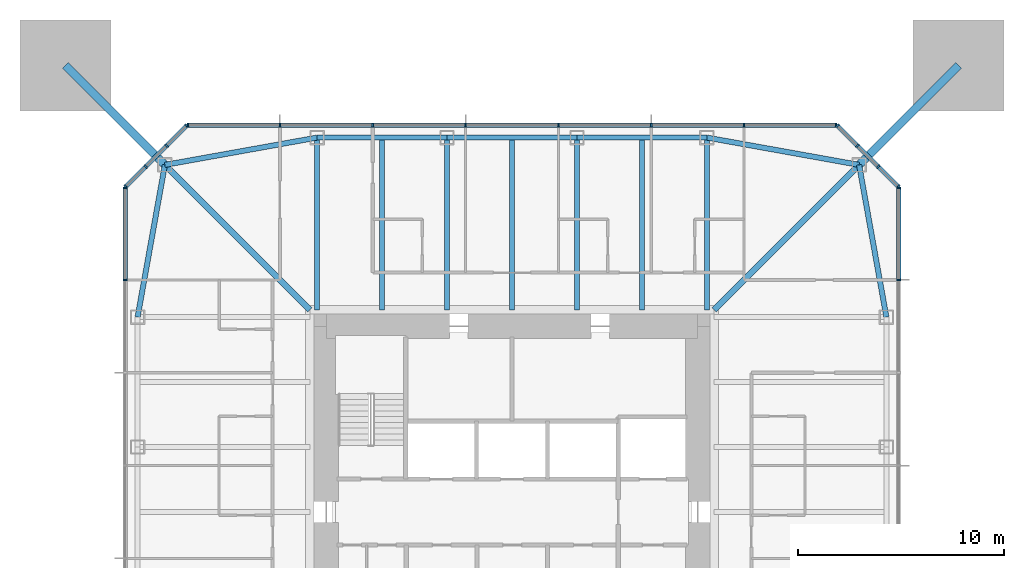
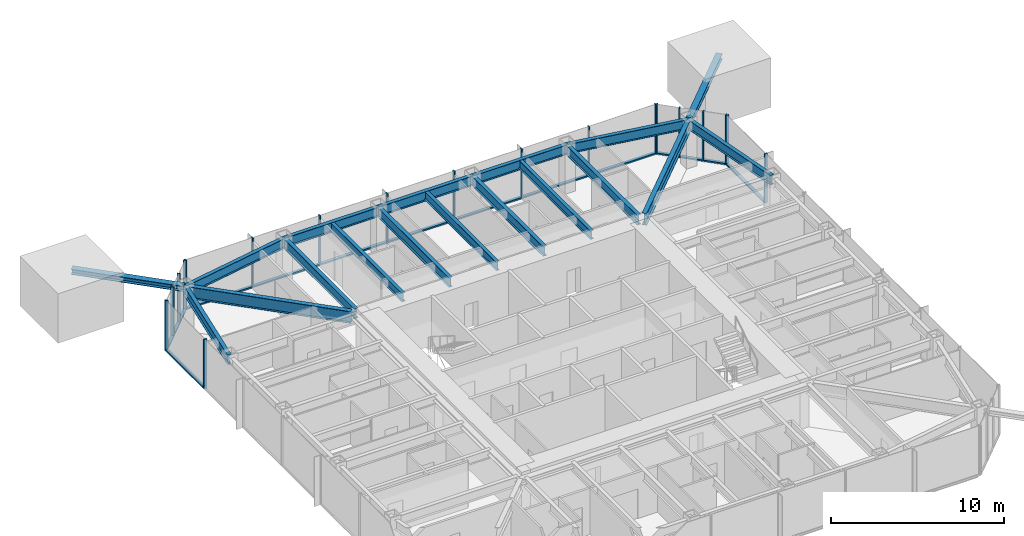
# One storey, part 4 of 12: 37 members, 16 beams, 5 elements without a shape of their own.
"""IFC4 building model written with IfcOpenShell, lengths in metres."""

from ifc_helpers import new_model, si_unit, direction, frame, origin, origin_2d, place, context, subcontext, project, spatial, rectangle, i_section, extrude, material, material_profile, profile_set, type_object, element, aggregate, save


model = new_model("IFC4")

# Units and contexts
model_context = context("Model", 3, precision=1e-05, world=origin(), true_north=direction((0.0, 1.0)))
body_context = subcontext(model_context, "Body", "Model", "MODEL_VIEW")
ifc_project = project(units=[si_unit("LENGTHUNIT", "METRE"), si_unit("AREAUNIT", "SQUARE_METRE"), si_unit("VOLUMEUNIT", "CUBIC_METRE"), si_unit("PLANEANGLEUNIT", "RADIAN"), si_unit("MASSUNIT", "GRAM", prefix="KILO")], contexts=[model_context])

# Site, building, storey
site_placement = place(None, origin())
site = spatial("IfcSite", under=ifc_project, at=site_placement, CompositionType="ELEMENT")
building_placement = place(site_placement, origin())
building = spatial("IfcBuilding", under=site, at=building_placement, Name="Iwan Alto Co-Living Towers", CompositionType="ELEMENT")
storey_placement = place(building_placement, frame((0.0, 0.0, 153.0)))
storey = spatial("IfcBuildingStorey", under=building, at=storey_placement, Name="L41", CompositionType="ELEMENT", Elevation=153.0)

# Curtain wall, members
ifc_material_1 = material(Name="Bronze aluminium unitised frame", Category="aluminium")
curtain_wall_type_1 = type_object("IfcCurtainWallType", Name="CURTAIN WALL CW-A", PredefinedType="NOTDEFINED", material=ifc_material_1)
curtain_wall_1_placement = place(storey_placement, origin())
curtain_wall_1 = element("IfcCurtainWall", 1, at=curtain_wall_1_placement, inside=storey, type_object=curtain_wall_type_1, Name="T1 curtain wall E L41", PredefinedType="NOTDEFINED")
ifc_material_2 = material(Name="Aluminium 6063-T6 bronze anodised", Category="aluminium")
ifc_material_profile_1 = material_profile(ifc_material_2, rectangle(XDim=0.199951171875, YDim=0.080078125, at=origin_2d()), Name="AL 80X200")
ifc_profile_set_1 = profile_set([ifc_material_profile_1], Name="Aluminium 6063-T6 bronze anodised")
member_type_1 = type_object("IfcMemberType", Name="CW-A MULLION 80X200", PredefinedType="MULLION", material=ifc_profile_set_1)
member_1_placement = place(storey_placement, frame((18.75, 11.25, 0.0), z_axis=(0.0, 0.0, 1.0), x_axis=(-1.0, 0.0, 0.0)))
member_1 = element("IfcMember", 2, at=member_1_placement, type_object=member_type_1, Name="CW-A mullion 7", PredefinedType="MULLION", context=body_context, shape_type="SweptSolid", body=[
    extrude(rectangle(XDim=0.199951171875, YDim=0.080078125, at=origin_2d()), origin(), (0.0, 0.0, 1.0), 3.5),
])
member_2_placement = place(storey_placement, frame((18.75, 15.7099609375, 0.0), z_axis=(0.0, 0.0, 1.0), x_axis=(-1.0, 0.0, 0.0)))
member_2 = element("IfcMember", 3, at=member_2_placement, type_object=member_type_1, Name="CW-A mullion 8", PredefinedType="MULLION", context=body_context, shape_type="SweptSolid", body=[
    extrude(rectangle(XDim=0.199951171875, YDim=0.080078125, at=origin_2d()), origin(), (0.0, 0.0, 1.0), 3.5),
])

curtain_wall_2_placement = place(storey_placement, origin())
curtain_wall_2 = element("IfcCurtainWall", 4, at=curtain_wall_2_placement, inside=storey, type_object=curtain_wall_type_1, Name="T1 curtain wall N L41", PredefinedType="NOTDEFINED")
member_3_placement = place(storey_placement, frame((15.7099609375, 18.75, 0.0), z_axis=(0.0, 0.0, 1.0), x_axis=(0.0, -1.0, 0.0)))
member_3 = element("IfcMember", 5, at=member_3_placement, type_object=member_type_1, Name="CW-A mullion 1", PredefinedType="MULLION", context=body_context, shape_type="SweptSolid", body=[
    extrude(rectangle(XDim=0.199951171875, YDim=0.080078125, at=origin_2d()), origin(), (0.0, 0.0, 1.0), 3.5),
])
member_4_placement = place(storey_placement, frame((11.25, 18.75, 0.0), z_axis=(0.0, 0.0, 1.0), x_axis=(0.0, -1.0, 0.0)))
member_4 = element("IfcMember", 6, at=member_4_placement, type_object=member_type_1, Name="CW-A mullion 2", PredefinedType="MULLION", context=body_context, shape_type="SweptSolid", body=[
    extrude(rectangle(XDim=0.199951171875, YDim=0.080078125, at=origin_2d()), origin(), (0.0, 0.0, 1.0), 3.5),
])
member_5_placement = place(storey_placement, frame((6.75, 18.75, 0.0), z_axis=(0.0, 0.0, 1.0), x_axis=(0.0, -1.0, 0.0)))
member_5 = element("IfcMember", 7, at=member_5_placement, type_object=member_type_1, Name="CW-A mullion 3", PredefinedType="MULLION", context=body_context, shape_type="SweptSolid", body=[
    extrude(rectangle(XDim=0.199951171875, YDim=0.080078125, at=origin_2d()), origin(), (0.0, 0.0, 1.0), 3.5),
])
member_6_placement = place(storey_placement, frame((2.25, 18.75, 0.0), z_axis=(0.0, 0.0, 1.0), x_axis=(0.0, -1.0, 0.0)))
member_6 = element("IfcMember", 8, at=member_6_placement, type_object=member_type_1, Name="CW-A mullion 4", PredefinedType="MULLION", context=body_context, shape_type="SweptSolid", body=[
    extrude(rectangle(XDim=0.199951171875, YDim=0.080078125, at=origin_2d()), origin(), (0.0, 0.0, 1.0), 3.5),
])
member_7_placement = place(storey_placement, frame((-2.25, 18.75, 0.0), z_axis=(0.0, 0.0, 1.0), x_axis=(0.0, -1.0, 0.0)))
member_7 = element("IfcMember", 9, at=member_7_placement, type_object=member_type_1, Name="CW-A mullion 5", PredefinedType="MULLION", context=body_context, shape_type="SweptSolid", body=[
    extrude(rectangle(XDim=0.199951171875, YDim=0.080078125, at=origin_2d()), origin(), (0.0, 0.0, 1.0), 3.5),
])
member_8_placement = place(storey_placement, frame((-6.75, 18.75, 0.0), z_axis=(0.0, 0.0, 1.0), x_axis=(0.0, -1.0, 0.0)))
member_8 = element("IfcMember", 10, at=member_8_placement, type_object=member_type_1, Name="CW-A mullion 6", PredefinedType="MULLION", context=body_context, shape_type="SweptSolid", body=[
    extrude(rectangle(XDim=0.199951171875, YDim=0.080078125, at=origin_2d()), origin(), (0.0, 0.0, 1.0), 3.5),
])
member_9_placement = place(storey_placement, frame((-11.25, 18.75, 0.0), z_axis=(0.0, 0.0, 1.0), x_axis=(0.0, -1.0, 0.0)))
member_9 = element("IfcMember", 11, at=member_9_placement, type_object=member_type_1, Name="CW-A mullion 7", PredefinedType="MULLION", context=body_context, shape_type="SweptSolid", body=[
    extrude(rectangle(XDim=0.199951171875, YDim=0.080078125, at=origin_2d()), origin(), (0.0, 0.0, 1.0), 3.5),
])
member_10_placement = place(storey_placement, frame((-15.7099609375, 18.75, 0.0), z_axis=(0.0, 0.0, 1.0), x_axis=(0.0, -1.0, 0.0)))
member_10 = element("IfcMember", 12, at=member_10_placement, type_object=member_type_1, Name="CW-A mullion 8", PredefinedType="MULLION", context=body_context, shape_type="SweptSolid", body=[
    extrude(rectangle(XDim=0.199951171875, YDim=0.080078125, at=origin_2d()), origin(), (0.0, 0.0, 1.0), 3.5),
])

curtain_wall_3_placement = place(storey_placement, origin())
curtain_wall_3 = element("IfcCurtainWall", 13, at=curtain_wall_3_placement, inside=storey, type_object=curtain_wall_type_1, Name="T1 curtain wall W L41", PredefinedType="NOTDEFINED")
member_11_placement = place(storey_placement, frame((-18.75, 15.7099609375, 0.0), z_axis=(0.0, 0.0, 1.0), x_axis=(1.0, 0.0, 0.0)))
member_11 = element("IfcMember", 14, at=member_11_placement, type_object=member_type_1, Name="CW-A mullion 1", PredefinedType="MULLION", context=body_context, shape_type="SweptSolid", body=[
    extrude(rectangle(XDim=0.199951171875, YDim=0.080078125, at=origin_2d()), origin(), (0.0, 0.0, 1.0), 3.5),
])
member_12_placement = place(storey_placement, frame((-18.75, 11.25, 0.0), z_axis=(0.0, 0.0, 1.0), x_axis=(1.0, 0.0, 0.0)))
member_12 = element("IfcMember", 15, at=member_12_placement, type_object=member_type_1, Name="CW-A mullion 2", PredefinedType="MULLION", context=body_context, shape_type="SweptSolid", body=[
    extrude(rectangle(XDim=0.199951171875, YDim=0.080078125, at=origin_2d()), origin(), (0.0, 0.0, 1.0), 3.5),
])

# Member
ifc_material_3 = material(Name="Aluminium 6063-T6 bronze anodised", Category="aluminium")
ifc_material_profile_2 = material_profile(ifc_material_3, rectangle(XDim=0.199951171875, YDim=0.10009765625, at=origin_2d()), Name="AL 200X100")
ifc_profile_set_2 = profile_set([ifc_material_profile_2], Name="Aluminium 6063-T6 bronze anodised")
member_type_2 = type_object("IfcMemberType", Name="CW-A TRANSOM 200X100", PredefinedType="USERDEFINED", material=ifc_profile_set_2)
member_13_placement = place(storey_placement, frame((18.75, 11.2900390625, 0.050048828125), z_axis=(0.0, 1.0, 0.0), x_axis=(-1.0, 0.0, 0.0)))
member_13 = element("IfcMember", 16, at=member_13_placement, type_object=member_type_2, Name="CW-A transom 7.1", ObjectType="TRANSOM", PredefinedType="USERDEFINED", context=body_context, shape_type="SweptSolid", body=[
    extrude(rectangle(XDim=0.199951171875, YDim=0.10009765625, at=origin_2d()), origin(), (0.0, 0.0, 1.0), 4.3798828125),
])

aggregate(curtain_wall_1, [member_1, member_2, member_13])

member_14_placement = place(storey_placement, frame((15.669921875, 18.75, 0.050048828125), z_axis=(-1.0, 0.0, 0.0), x_axis=(0.0, -1.0, 0.0)))
member_14 = element("IfcMember", 17, at=member_14_placement, type_object=member_type_2, Name="CW-A transom 1.1", ObjectType="TRANSOM", PredefinedType="USERDEFINED", context=body_context, shape_type="SweptSolid", body=[
    extrude(rectangle(XDim=0.199951171875, YDim=0.10009765625, at=origin_2d()), origin(), (0.0, 0.0, 1.0), 4.3798828125),
])

member_15_placement = place(storey_placement, frame((11.2099609375, 18.75, 0.050048828125), z_axis=(-1.0, 0.0, 0.0), x_axis=(0.0, -1.0, 0.0)))
member_15 = element("IfcMember", 18, at=member_15_placement, type_object=member_type_2, Name="CW-A transom 2.1", ObjectType="TRANSOM", PredefinedType="USERDEFINED", context=body_context, shape_type="SweptSolid", body=[
    extrude(rectangle(XDim=0.199951171875, YDim=0.10009765625, at=origin_2d()), origin(), (0.0, 0.0, 1.0), 4.419921875),
])

member_16_placement = place(storey_placement, frame((6.7099609375, 18.75, 0.050048828125), z_axis=(-1.0, 0.0, 0.0), x_axis=(0.0, -1.0, 0.0)))
member_16 = element("IfcMember", 19, at=member_16_placement, type_object=member_type_2, Name="CW-A transom 3.1", ObjectType="TRANSOM", PredefinedType="USERDEFINED", context=body_context, shape_type="SweptSolid", body=[
    extrude(rectangle(XDim=0.199951171875, YDim=0.10009765625, at=origin_2d()), origin(), (0.0, 0.0, 1.0), 4.419921875),
])

member_17_placement = place(storey_placement, frame((2.2099609375, 18.75, 0.050048828125), z_axis=(-1.0, 0.0, 0.0), x_axis=(0.0, -1.0, 0.0)))
member_17 = element("IfcMember", 20, at=member_17_placement, type_object=member_type_2, Name="CW-A transom 4.1", ObjectType="TRANSOM", PredefinedType="USERDEFINED", context=body_context, shape_type="SweptSolid", body=[
    extrude(rectangle(XDim=0.199951171875, YDim=0.10009765625, at=origin_2d()), origin(), (0.0, 0.0, 1.0), 4.419921875),
])

member_18_placement = place(storey_placement, frame((-2.2900390625, 18.75, 0.050048828125), z_axis=(-1.0, 0.0, 0.0), x_axis=(0.0, -1.0, 0.0)))
member_18 = element("IfcMember", 21, at=member_18_placement, type_object=member_type_2, Name="CW-A transom 5.1", ObjectType="TRANSOM", PredefinedType="USERDEFINED", context=body_context, shape_type="SweptSolid", body=[
    extrude(rectangle(XDim=0.199951171875, YDim=0.10009765625, at=origin_2d()), origin(), (0.0, 0.0, 1.0), 4.419921875),
])

member_19_placement = place(storey_placement, frame((-6.7900390625, 18.75, 0.050048828125), z_axis=(-1.0, 0.0, 0.0), x_axis=(0.0, -1.0, 0.0)))
member_19 = element("IfcMember", 22, at=member_19_placement, type_object=member_type_2, Name="CW-A transom 6.1", ObjectType="TRANSOM", PredefinedType="USERDEFINED", context=body_context, shape_type="SweptSolid", body=[
    extrude(rectangle(XDim=0.199951171875, YDim=0.10009765625, at=origin_2d()), origin(), (0.0, 0.0, 1.0), 4.419921875),
])

member_20_placement = place(storey_placement, frame((-11.2900390625, 18.75, 0.050048828125), z_axis=(-1.0, 0.0, 0.0), x_axis=(0.0, -1.0, 0.0)))
member_20 = element("IfcMember", 23, at=member_20_placement, type_object=member_type_2, Name="CW-A transom 7.1", ObjectType="TRANSOM", PredefinedType="USERDEFINED", context=body_context, shape_type="SweptSolid", body=[
    extrude(rectangle(XDim=0.199951171875, YDim=0.10009765625, at=origin_2d()), origin(), (0.0, 0.0, 1.0), 4.3798828125),
])

aggregate(curtain_wall_2, [member_3, member_4, member_5, member_6, member_7, member_8, member_9, member_10, member_14, member_15, member_16, member_17, member_18, member_19, member_20])

member_21_placement = place(storey_placement, frame((-18.75, 15.669921875, 0.050048828125), z_axis=(0.0, -1.0, 0.0), x_axis=(1.0, 0.0, 0.0)))
member_21 = element("IfcMember", 24, at=member_21_placement, type_object=member_type_2, Name="CW-A transom 1.1", ObjectType="TRANSOM", PredefinedType="USERDEFINED", context=body_context, shape_type="SweptSolid", body=[
    extrude(rectangle(XDim=0.199951171875, YDim=0.10009765625, at=origin_2d()), origin(), (0.0, 0.0, 1.0), 4.3798828125),
])

aggregate(curtain_wall_3, [member_11, member_12, member_21])

# Curtain wall, members
ifc_material_4 = material(Name="Bronze aluminium unitised frame", Category="aluminium")
curtain_wall_type_2 = type_object("IfcCurtainWallType", Name="CURTAIN WALL CW-B", PredefinedType="NOTDEFINED", material=ifc_material_4)
curtain_wall_4_placement = place(storey_placement, origin())
curtain_wall_4 = element("IfcCurtainWall", 25, at=curtain_wall_4_placement, inside=storey, type_object=curtain_wall_type_2, Name="T1 chamfer curtain wall NE L41", PredefinedType="NOTDEFINED")
ifc_material_5 = material(Name="Aluminium 6063-T6 bronze anodised", Category="aluminium")
ifc_material_profile_3 = material_profile(ifc_material_5, rectangle(XDim=0.199951171875, YDim=0.080078125, at=origin_2d()), Name="AL 80X200")
ifc_profile_set_3 = profile_set([ifc_material_profile_3], Name="Aluminium 6063-T6 bronze anodised")
member_type_3 = type_object("IfcMemberType", Name="CW-B MULLION 80X200", PredefinedType="MULLION", material=ifc_profile_set_3)
member_22_placement = place(storey_placement, frame((18.7216796875, 15.7783203125, 0.0), z_axis=(0.0, 0.0, 1.0), x_axis=(-0.707106781187, -0.707106781187, 0.0)))
member_22 = element("IfcMember", 26, at=member_22_placement, type_object=member_type_3, Name="CW-B mullion 1", PredefinedType="MULLION", context=body_context, shape_type="SweptSolid", body=[
    extrude(rectangle(XDim=0.199951171875, YDim=0.080078125, at=origin_2d()), origin(), (0.0, 0.0, 1.0), 3.5),
])
member_23_placement = place(storey_placement, frame((17.75, 16.75, 0.0), z_axis=(0.0, 0.0, 1.0), x_axis=(-0.707106781187, -0.707106781187, 0.0)))
member_23 = element("IfcMember", 27, at=member_23_placement, type_object=member_type_3, Name="CW-B mullion 2", PredefinedType="MULLION", context=body_context, shape_type="SweptSolid", body=[
    extrude(rectangle(XDim=0.199951171875, YDim=0.080078125, at=origin_2d()), origin(), (0.0, 0.0, 1.0), 3.5),
])
member_24_placement = place(storey_placement, frame((16.75, 17.75, 0.0), z_axis=(0.0, 0.0, 1.0), x_axis=(-0.707106781187, -0.707106781187, 0.0)))
member_24 = element("IfcMember", 28, at=member_24_placement, type_object=member_type_3, Name="CW-B mullion 3", PredefinedType="MULLION", context=body_context, shape_type="SweptSolid", body=[
    extrude(rectangle(XDim=0.199951171875, YDim=0.080078125, at=origin_2d()), origin(), (0.0, 0.0, 1.0), 3.5),
])
member_25_placement = place(storey_placement, frame((15.7783203125, 18.7216796875, 0.0), z_axis=(0.0, 0.0, 1.0), x_axis=(-0.707106781187, -0.707106781187, 0.0)))
member_25 = element("IfcMember", 29, at=member_25_placement, type_object=member_type_3, Name="CW-B mullion 4", PredefinedType="MULLION", context=body_context, shape_type="SweptSolid", body=[
    extrude(rectangle(XDim=0.199951171875, YDim=0.080078125, at=origin_2d()), origin(), (0.0, 0.0, 1.0), 3.5),
])

curtain_wall_5_placement = place(storey_placement, origin())
curtain_wall_5 = element("IfcCurtainWall", 30, at=curtain_wall_5_placement, inside=storey, type_object=curtain_wall_type_2, Name="T1 chamfer curtain wall NW L41", PredefinedType="NOTDEFINED")
member_26_placement = place(storey_placement, frame((-15.7783203125, 18.7216796875, 0.0), z_axis=(0.0, 0.0, 1.0), x_axis=(0.707106781187, -0.707106781187, 0.0)))
member_26 = element("IfcMember", 31, at=member_26_placement, type_object=member_type_3, Name="CW-B mullion 1", PredefinedType="MULLION", context=body_context, shape_type="SweptSolid", body=[
    extrude(rectangle(XDim=0.199951171875, YDim=0.080078125, at=origin_2d()), origin(), (0.0, 0.0, 1.0), 3.5),
])
member_27_placement = place(storey_placement, frame((-16.75, 17.75, 0.0), z_axis=(0.0, 0.0, 1.0), x_axis=(0.707106781187, -0.707106781187, 0.0)))
member_27 = element("IfcMember", 32, at=member_27_placement, type_object=member_type_3, Name="CW-B mullion 2", PredefinedType="MULLION", context=body_context, shape_type="SweptSolid", body=[
    extrude(rectangle(XDim=0.199951171875, YDim=0.080078125, at=origin_2d()), origin(), (0.0, 0.0, 1.0), 3.5),
])
member_28_placement = place(storey_placement, frame((-17.75, 16.75, 0.0), z_axis=(0.0, 0.0, 1.0), x_axis=(0.707106781187, -0.707106781187, 0.0)))
member_28 = element("IfcMember", 33, at=member_28_placement, type_object=member_type_3, Name="CW-B mullion 3", PredefinedType="MULLION", context=body_context, shape_type="SweptSolid", body=[
    extrude(rectangle(XDim=0.199951171875, YDim=0.080078125, at=origin_2d()), origin(), (0.0, 0.0, 1.0), 3.5),
])
member_29_placement = place(storey_placement, frame((-18.7216796875, 15.7783203125, 0.0), z_axis=(0.0, 0.0, 1.0), x_axis=(0.707106781187, -0.707106781187, 0.0)))
member_29 = element("IfcMember", 34, at=member_29_placement, type_object=member_type_3, Name="CW-B mullion 4", PredefinedType="MULLION", context=body_context, shape_type="SweptSolid", body=[
    extrude(rectangle(XDim=0.199951171875, YDim=0.080078125, at=origin_2d()), origin(), (0.0, 0.0, 1.0), 3.5),
])

# Member
ifc_material_6 = material(Name="Aluminium 6063-T6 bronze anodised", Category="aluminium")
ifc_material_profile_4 = material_profile(ifc_material_6, rectangle(XDim=0.199951171875, YDim=0.10009765625, at=origin_2d()), Name="AL 200X100")
ifc_profile_set_4 = profile_set([ifc_material_profile_4], Name="Aluminium 6063-T6 bronze anodised")
member_type_4 = type_object("IfcMemberType", Name="CW-B TRANSOM 200X100", PredefinedType="USERDEFINED", material=ifc_profile_set_4)
member_30_placement = place(storey_placement, frame((18.693359375, 15.806640625, 0.050048828125), z_axis=(-0.707106781187, 0.707106781187, 0.0), x_axis=(-0.707106781187, -0.707106781187, 0.0)))
member_30 = element("IfcMember", 35, at=member_30_placement, type_object=member_type_4, Name="CW-B transom 1.1", ObjectType="TRANSOM", PredefinedType="USERDEFINED", context=body_context, shape_type="SweptSolid", body=[
    extrude(rectangle(XDim=0.199951171875, YDim=0.10009765625, at=origin_2d()), origin(), (0.0, 0.0, 1.0), 1.2939453125),
])

member_31_placement = place(storey_placement, frame((17.7216796875, 16.7783203125, 0.050048828125), z_axis=(-0.707106781187, 0.707106781187, 0.0), x_axis=(-0.707106781187, -0.707106781187, 0.0)))
member_31 = element("IfcMember", 36, at=member_31_placement, type_object=member_type_4, Name="CW-B transom 2.1", ObjectType="TRANSOM", PredefinedType="USERDEFINED", context=body_context, shape_type="SweptSolid", body=[
    extrude(rectangle(XDim=0.199951171875, YDim=0.10009765625, at=origin_2d()), origin(), (0.0, 0.0, 1.0), 1.334228515625),
])

member_32_placement = place(storey_placement, frame((16.7216796875, 17.7783203125, 0.050048828125), z_axis=(-0.707106781187, 0.707106781187, 0.0), x_axis=(-0.707106781187, -0.707106781187, 0.0)))
member_32 = element("IfcMember", 37, at=member_32_placement, type_object=member_type_4, Name="CW-B transom 3.1", ObjectType="TRANSOM", PredefinedType="USERDEFINED", context=body_context, shape_type="SweptSolid", body=[
    extrude(rectangle(XDim=0.199951171875, YDim=0.10009765625, at=origin_2d()), origin(), (0.0, 0.0, 1.0), 1.2939453125),
])

aggregate(curtain_wall_4, [member_22, member_23, member_24, member_25, member_30, member_31, member_32])

member_33_placement = place(storey_placement, frame((-15.806640625, 18.693359375, 0.050048828125), z_axis=(-0.707106781187, -0.707106781187, 0.0), x_axis=(0.707106781187, -0.707106781187, 0.0)))
member_33 = element("IfcMember", 38, at=member_33_placement, type_object=member_type_4, Name="CW-B transom 1.1", ObjectType="TRANSOM", PredefinedType="USERDEFINED", context=body_context, shape_type="SweptSolid", body=[
    extrude(rectangle(XDim=0.199951171875, YDim=0.10009765625, at=origin_2d()), origin(), (0.0, 0.0, 1.0), 1.2939453125),
])

member_34_placement = place(storey_placement, frame((-16.7783203125, 17.7216796875, 0.050048828125), z_axis=(-0.707106781187, -0.707106781187, 0.0), x_axis=(0.707106781187, -0.707106781187, 0.0)))
member_34 = element("IfcMember", 39, at=member_34_placement, type_object=member_type_4, Name="CW-B transom 2.1", ObjectType="TRANSOM", PredefinedType="USERDEFINED", context=body_context, shape_type="SweptSolid", body=[
    extrude(rectangle(XDim=0.199951171875, YDim=0.10009765625, at=origin_2d()), origin(), (0.0, 0.0, 1.0), 1.334228515625),
])

member_35_placement = place(storey_placement, frame((-17.7783203125, 16.7216796875, 0.050048828125), z_axis=(-0.707106781187, -0.707106781187, 0.0), x_axis=(0.707106781187, -0.707106781187, 0.0)))
member_35 = element("IfcMember", 40, at=member_35_placement, type_object=member_type_4, Name="CW-B transom 3.1", ObjectType="TRANSOM", PredefinedType="USERDEFINED", context=body_context, shape_type="SweptSolid", body=[
    extrude(rectangle(XDim=0.199951171875, YDim=0.10009765625, at=origin_2d()), origin(), (0.0, 0.0, 1.0), 1.2939453125),
])

aggregate(curtain_wall_5, [member_26, member_27, member_28, member_29, member_33, member_34, member_35])

# Beams
ifc_material_7 = material(Name="Steel ASTM A992 Gr 50", Category="steel")
ifc_material_profile_5 = material_profile(ifc_material_7, i_section(OverallWidth=0.2919921875, OverallDepth=0.8408203125, WebThickness=0.0146484375, FlangeThickness=0.021728515625, at=origin_2d()), Name="W33X130")
ifc_profile_set_5 = profile_set([ifc_material_profile_5], Name="Steel ASTM A992 Gr 50")
beam_type_1 = type_object("IfcBeamType", Name="T1 CORNER GIRDER W33X130", PredefinedType="BEAM", material=ifc_profile_set_5)
for number, where, z_axis, x_axis, name in (
    (41, (16.82568359375, 16.82568359375, 2.849609375), (-0.707106781187, -0.707106781187, 0.0), (0.707106781187, -0.707106781187, 0.0), "T1 corner girder CNE L42"),
    (42, (-16.82568359375, 16.82568359375, 2.849609375), (0.707106781187, -0.707106781187, 0.0), (0.707106781187, 0.707106781187, 0.0), "T1 corner girder CNW L42"),
):
    element("IfcBeam", number, at=place(storey_placement, frame(where, z_axis=z_axis, x_axis=x_axis)), inside=storey, type_object=beam_type_1, Name=name, PredefinedType="BEAM", context=body_context, shape_type="SweptSolid", body=[
        extrude(i_section(OverallWidth=0.2919921875, OverallDepth=0.8408203125, WebThickness=0.0146484375, FlangeThickness=0.021728515625, at=origin_2d()), origin(), (0.0, 0.0, 1.0), 9.936767578125),
    ])
ifc_material_8 = material(Name="Steel ASTM A992 Gr 50", Category="steel")
ifc_material_profile_6 = material_profile(ifc_material_8, i_section(OverallWidth=0.25390625, OverallDepth=0.683349609375, WebThickness=0.012451171875, FlangeThickness=0.018798828125, at=origin_2d()), Name="W27X94")
ifc_profile_set_6 = profile_set([ifc_material_profile_6], Name="Steel ASTM A992 Gr 50")
beam_type_2 = type_object("IfcBeamType", Name="T1 EDGE BEAM W27X94", PredefinedType="BEAM", material=ifc_profile_set_6)
for number, where, z_axis, x_axis, name in (
    (43, (18.14990234375, 9.449951171875, 2.928466796875), (-0.17671181143, 0.98426263553, 0.0), (-0.98426263553, -0.17671181143, 0.0), "T1 edge beam E4 L42"),
    (44, (16.82568359375, 16.82568359375, 2.928466796875), (-0.98426263553, 0.17671181143, 0.0), (-0.17671181143, -0.98426263553, 0.0), "T1 edge beam CNE L42"),
):
    element("IfcBeam", number, at=place(storey_placement, frame(where, z_axis=z_axis, x_axis=x_axis)), inside=storey, type_object=beam_type_2, Name=name, PredefinedType="BEAM", context=body_context, shape_type="SweptSolid", body=[
        extrude(i_section(OverallWidth=0.25390625, OverallDepth=0.683349609375, WebThickness=0.012451171875, FlangeThickness=0.018798828125, at=origin_2d()), origin(), (0.0, 0.0, 1.0), 7.49365234375),
    ])
beam_1_placement = place(storey_placement, frame((9.449951171875, 18.14990234375, 2.928466796875), z_axis=(-1.0, 0.0, 0.0), x_axis=(0.0, -1.0, 0.0)))
element("IfcBeam", 45, at=beam_1_placement, inside=storey, type_object=beam_type_2, Name="T1 edge beam N1 L42", PredefinedType="BEAM", context=body_context, shape_type="SweptSolid", body=[
    extrude(i_section(OverallWidth=0.25390625, OverallDepth=0.683349609375, WebThickness=0.012451171875, FlangeThickness=0.018798828125, at=origin_2d()), origin(), (0.0, 0.0, 1.0), 6.300048828125),
])
beam_2_placement = place(storey_placement, frame((3.14990234375, 18.14990234375, 2.928466796875), z_axis=(-1.0, 0.0, 0.0), x_axis=(0.0, -1.0, 0.0)))
element("IfcBeam", 46, at=beam_2_placement, inside=storey, type_object=beam_type_2, Name="T1 edge beam N2 L42", PredefinedType="BEAM", context=body_context, shape_type="SweptSolid", body=[
    extrude(i_section(OverallWidth=0.25390625, OverallDepth=0.683349609375, WebThickness=0.012451171875, FlangeThickness=0.018798828125, at=origin_2d()), origin(), (0.0, 0.0, 1.0), 6.2998046875),
])
beam_3_placement = place(storey_placement, frame((-3.14990234375, 18.14990234375, 2.928466796875), z_axis=(-1.0, 0.0, 0.0), x_axis=(0.0, -1.0, 0.0)))
element("IfcBeam", 47, at=beam_3_placement, inside=storey, type_object=beam_type_2, Name="T1 edge beam N3 L42", PredefinedType="BEAM", context=body_context, shape_type="SweptSolid", body=[
    extrude(i_section(OverallWidth=0.25390625, OverallDepth=0.683349609375, WebThickness=0.012451171875, FlangeThickness=0.018798828125, at=origin_2d()), origin(), (0.0, 0.0, 1.0), 6.300048828125),
])
for number, where, z_axis, x_axis, name in (
    (48, (-9.449951171875, 18.14990234375, 2.928466796875), (-0.98426263553, -0.17671181143, 0.0), (0.17671181143, -0.98426263553, 0.0), "T1 edge beam N4 L42"),
    (49, (-16.82568359375, 16.82568359375, 2.928466796875), (-0.17671181143, -0.98426263553, 0.0), (0.98426263553, -0.17671181143, 0.0), "T1 edge beam CNW L42"),
):
    element("IfcBeam", number, at=place(storey_placement, frame(where, z_axis=z_axis, x_axis=x_axis)), inside=storey, type_object=beam_type_2, Name=name, PredefinedType="BEAM", context=body_context, shape_type="SweptSolid", body=[
        extrude(i_section(OverallWidth=0.25390625, OverallDepth=0.683349609375, WebThickness=0.012451171875, FlangeThickness=0.018798828125, at=origin_2d()), origin(), (0.0, 0.0, 1.0), 7.49365234375),
    ])

# Members
ifc_material_9 = material(Name="Steel ASTM A992 Gr 50", Category="steel")
ifc_material_profile_7 = material_profile(ifc_material_9, i_section(OverallWidth=0.393798828125, OverallDepth=0.3759765625, WebThickness=0.017333984375, FlangeThickness=0.027587890625, at=origin_2d()), Name="W14X145")
ifc_profile_set_7 = profile_set([ifc_material_profile_7], Name="Steel ASTM A992 Gr 50")
member_type_5 = type_object("IfcMemberType", Name="T1 MEGA COLUMN FLOOR TIE W14X145", PredefinedType="STRUT", material=ifc_profile_set_7)
for number, where, z_axis, x_axis, name in (
    (50, (21.64990234375, 21.64990234375, 3.08203125), (-0.707106781187, -0.707106781187, 0.0), (0.707106781187, -0.707106781187, 0.0), "T1 mega column floor tie NE L42"),
    (51, (-21.64990234375, 21.64990234375, 3.08203125), (0.707106781187, -0.707106781187, 0.0), (0.707106781187, 0.707106781187, 0.0), "T1 mega column floor tie NW L42"),
):
    element("IfcMember", number, at=place(storey_placement, frame(where, z_axis=z_axis, x_axis=x_axis)), inside=storey, type_object=member_type_5, Name=name, PredefinedType="STRUT", context=body_context, shape_type="SweptSolid", body=[
        extrude(i_section(OverallWidth=0.393798828125, OverallDepth=0.3759765625, WebThickness=0.017333984375, FlangeThickness=0.027587890625, at=origin_2d()), origin(), (0.0, 0.0, 1.0), 6.822509765625),
    ])

# Beams
ifc_material_10 = material(Name="Steel ASTM A992 Gr 50", Category="steel")
ifc_material_profile_8 = material_profile(ifc_material_10, i_section(OverallWidth=0.25390625, OverallDepth=0.683349609375, WebThickness=0.012451171875, FlangeThickness=0.018798828125, at=origin_2d()), Name="W27X94")
ifc_profile_set_8 = profile_set([ifc_material_profile_8], Name="Steel ASTM A992 Gr 50")
beam_type_3 = type_object("IfcBeamType", Name="T1 RADIAL BEAM W27X94", PredefinedType="BEAM", material=ifc_profile_set_8)
for number, where, z_axis, x_axis, name in (
    (52, (9.449951171875, 18.14990234375, 2.928466796875), (0.0, -1.0, 0.0), (1.0, 0.0, 0.0), "T1 radial beam N1 L42"),
    (53, (3.14990234375, 18.14990234375, 2.928466796875), (0.0, -1.0, 0.0), (1.0, 0.0, 0.0), "T1 radial beam N2 L42"),
    (54, (-3.14990234375, 18.14990234375, 2.928466796875), (0.0, -1.0, 0.0), (1.0, 0.0, 0.0), "T1 radial beam N3 L42"),
    (55, (-9.449951171875, 18.14990234375, 2.928466796875), (0.0, -1.0, 0.0), (1.0, 0.0, 0.0), "T1 radial beam N4 L42"),
):
    element("IfcBeam", number, at=place(storey_placement, frame(where, z_axis=z_axis, x_axis=x_axis)), inside=storey, type_object=beam_type_3, Name=name, PredefinedType="BEAM", context=body_context, shape_type="SweptSolid", body=[
        extrude(i_section(OverallWidth=0.25390625, OverallDepth=0.683349609375, WebThickness=0.012451171875, FlangeThickness=0.018798828125, at=origin_2d()), origin(), (0.0, 0.0, 1.0), 8.3505859375),
    ])
ifc_material_11 = material(Name="Steel ASTM A992 Gr 50", Category="steel")
ifc_material_profile_9 = material_profile(ifc_material_11, i_section(OverallWidth=0.228271484375, OverallDepth=0.607177734375, WebThickness=0.01123046875, FlangeThickness=0.017333984375, at=origin_2d()), Name="W24X76")
ifc_profile_set_9 = profile_set([ifc_material_profile_9], Name="Steel ASTM A992 Gr 50")
beam_type_4 = type_object("IfcBeamType", Name="T1 SECONDARY BEAM W24X76", PredefinedType="JOIST", material=ifc_profile_set_9)
for number, where, z_axis, x_axis, name in (
    (56, (6.300048828125, 18.14990234375, 2.966552734375), (0.0, -1.0, 0.0), (1.0, 0.0, 0.0), "T1 secondary beam N1 L42"),
    (57, (0.0, 18.14990234375, 2.966552734375), (0.0, -1.0, 0.0), (1.0, 0.0, 0.0), "T1 secondary beam N2 L42"),
    (58, (-6.300048828125, 18.14990234375, 2.966552734375), (0.0, -1.0, 0.0), (1.0, 0.0, 0.0), "T1 secondary beam N3 L42"),
):
    element("IfcBeam", number, at=place(storey_placement, frame(where, z_axis=z_axis, x_axis=x_axis)), inside=storey, type_object=beam_type_4, Name=name, PredefinedType="JOIST", context=body_context, shape_type="SweptSolid", body=[
        extrude(i_section(OverallWidth=0.228271484375, OverallDepth=0.607177734375, WebThickness=0.01123046875, FlangeThickness=0.017333984375, at=origin_2d()), origin(), (0.0, 0.0, 1.0), 8.3505859375),
    ])

save(model, "model.ifc")
